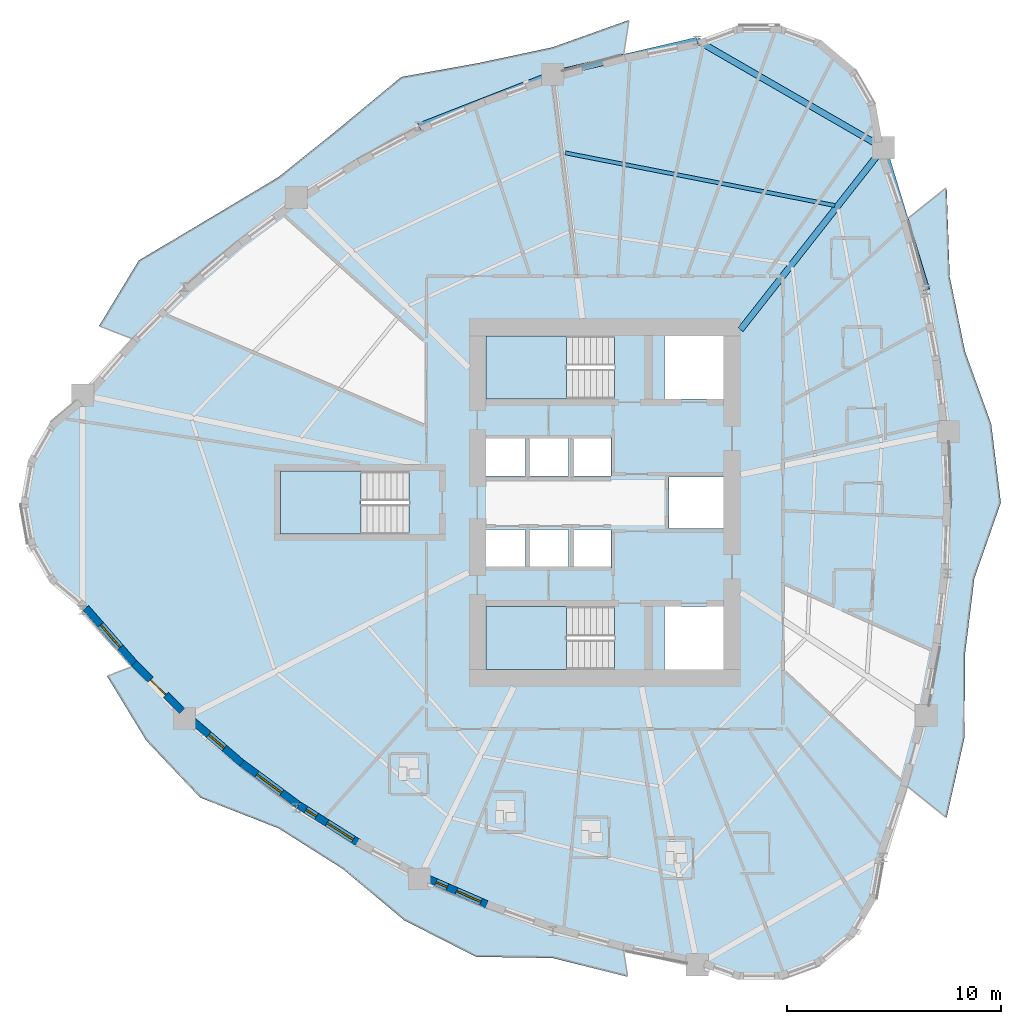
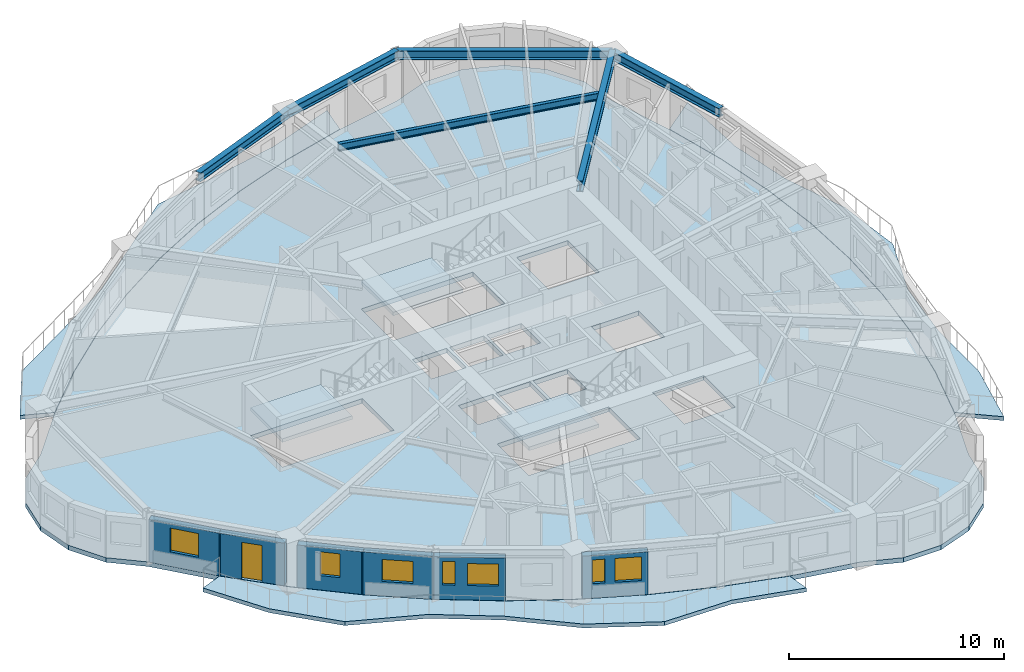
# One storey, part 2 of 14: 7 slabs, 7 windows, 6 beams, 6 walls, 1 door, 8 openings, 3 elements without a shape of their own.
"""IFC4 building model written with IfcOpenShell, lengths in metres."""

from ifc_helpers import new_model, si_unit, direction, frame, frame_2d, origin, origin_2d, place, context, subcontext, project, spatial, polyline, rectangle, i_section, outline, extrude, source, transform, mapped, material, layer, layer_set, material_profile, profile_set, type_object, element, fill, aggregate, save


model = new_model("IFC4")

# Units and contexts
model_context = context("Model", 3, precision=1e-05, world=origin(), true_north=direction((0.0, 1.0)))
body_context = subcontext(model_context, "Body", "Model", "MODEL_VIEW")
ifc_project = project(units=[si_unit("LENGTHUNIT", "METRE"), si_unit("AREAUNIT", "SQUARE_METRE"), si_unit("VOLUMEUNIT", "CUBIC_METRE"), si_unit("PLANEANGLEUNIT", "RADIAN"), si_unit("MASSUNIT", "GRAM", prefix="KILO")], contexts=[model_context])

# Site, building, storey
site_placement = place(None, origin())
site = spatial("IfcSite", under=ifc_project, at=site_placement, CompositionType="ELEMENT")
building_placement = place(site_placement, origin())
building = spatial("IfcBuilding", under=site, at=building_placement, Name="Qafzar Sky-Pleat Residences", CompositionType="ELEMENT")
storey_placement = place(building_placement, frame((0.0, 0.0, 17.39990234375)))
storey = spatial("IfcBuildingStorey", under=building, at=storey_placement, Name="L04", CompositionType="ELEMENT", Elevation=17.39990234375)

# Beams
ifc_material_1 = material(Name="Steel S355", Category="steel")
ifc_material_profile_1 = material_profile(ifc_material_1, i_section(OverallWidth=0.300048828125, OverallDepth=0.5, WebThickness=0.014404296875, FlangeThickness=0.028076171875, FilletRadius=0.027099609375, at=origin_2d()), Name="HEB 500")
ifc_profile_set_1 = profile_set([ifc_material_profile_1], Name="Steel S355")
beam_type_1 = type_object("IfcBeamType", Name="BM-SPAN-HEB500", PredefinedType="SPANDREL", material=ifc_profile_set_1)
shared_shape_1 = source(origin(), body_context, "Body", "SweptSolid", [
    extrude(i_section(OverallWidth=0.300048828125, OverallDepth=0.5, WebThickness=0.014404296875, FlangeThickness=0.028076171875, FilletRadius=0.027099609375, at=origin_2d()), origin(), (0.0, 0.0, 1.0), 10.0458984375),
])
beam_1_placement = place(storey_placement, frame((43.37255859375, 42.580078125, 2.68798828125), z_axis=(-0.866024107753, 0.500002244785, 0.0), x_axis=(-0.500002244785, -0.866024107753, 0.0)))
element("IfcBeam", 1, at=beam_1_placement, inside=storey, type_object=beam_type_1, Name="L04 Perimeter Spandrel Beam 13", PredefinedType="SPANDREL", context=body_context, shape_type="MappedRepresentation", body=[
    mapped(shared_shape_1, transform((0.0, 0.0, 0.0), x_axis=(1.0, 0.0, 0.0), y_axis=(0.0, 1.0, 0.0), z_axis=(0.0, 0.0, 1.0), scale=1.0)),
])
shared_shape_2 = source(origin(), body_context, "Body", "SweptSolid", [
    extrude(i_section(OverallWidth=0.300048828125, OverallDepth=0.5, WebThickness=0.014404296875, FlangeThickness=0.028076171875, FilletRadius=0.027099609375, at=origin_2d()), origin(), (0.0, 0.0, 1.0), 6.931640625),
])
beam_2_placement = place(storey_placement, frame((45.388671875, 35.947998046875, 2.68798828125), z_axis=(-0.290851866261, 0.956768097238, 0.0), x_axis=(-0.956768097238, -0.290851866261, 0.0)))
element("IfcBeam", 2, at=beam_2_placement, inside=storey, type_object=beam_type_1, Name="L04 Perimeter Spandrel Beam 12", PredefinedType="SPANDREL", context=body_context, shape_type="MappedRepresentation", body=[
    mapped(shared_shape_2, transform((0.0, 0.0, 0.0), x_axis=(1.0, 0.0, 0.0), y_axis=(0.0, 1.0, 0.0), z_axis=(0.0, 0.0, 1.0), scale=1.0)),
])
shared_shape_3 = source(origin(), body_context, "Body", "SweptSolid", [
    extrude(i_section(OverallWidth=0.300048828125, OverallDepth=0.5, WebThickness=0.014404296875, FlangeThickness=0.028076171875, FilletRadius=0.027099609375, at=origin_2d()), origin(), (0.0, 0.0, 1.0), 6.708251953125),
])
beam_3_placement = place(storey_placement, frame((27.9208984375, 46.032958984375, 2.68798828125), z_axis=(-0.931335108282, -0.364163309631, 0.0), x_axis=(0.364163309631, -0.931335108282, 0.0)))
element("IfcBeam", 3, at=beam_3_placement, inside=storey, type_object=beam_type_1, Name="L04 Perimeter Spandrel Beam 15", PredefinedType="SPANDREL", context=body_context, shape_type="MappedRepresentation", body=[
    mapped(shared_shape_3, transform((0.0, 0.0, 0.0), x_axis=(1.0, 0.0, 0.0), y_axis=(0.0, 1.0, 0.0), z_axis=(0.0, 0.0, 1.0), scale=1.0)),
])
shared_shape_4 = source(origin(), body_context, "Body", "SweptSolid", [
    extrude(i_section(OverallWidth=0.300048828125, OverallDepth=0.5, WebThickness=0.014404296875, FlangeThickness=0.028076171875, FilletRadius=0.027099609375, at=origin_2d()), origin(), (0.0, 0.0, 1.0), 6.931884765625),
])
beam_4_placement = place(storey_placement, frame((34.672607421875, 47.60302734375, 2.68798828125), z_axis=(-0.974011098993, -0.226500284853, 0.0), x_axis=(0.226500284853, -0.974011098993, 0.0)))
element("IfcBeam", 4, at=beam_4_placement, inside=storey, type_object=beam_type_1, Name="L04 Perimeter Spandrel Beam 14", PredefinedType="SPANDREL", context=body_context, shape_type="MappedRepresentation", body=[
    mapped(shared_shape_4, transform((0.0, 0.0, 0.0), x_axis=(1.0, 0.0, 0.0), y_axis=(0.0, 1.0, 0.0), z_axis=(0.0, 0.0, 1.0), scale=1.0)),
])
ifc_material_profile_2 = material_profile(ifc_material_1, i_section(OverallWidth=0.300048828125, OverallDepth=0.60009765625, WebThickness=0.015380859375, FlangeThickness=0.030029296875, FilletRadius=0.027099609375, at=origin_2d()), Name="HEB 600")
ifc_profile_set_2 = profile_set([ifc_material_profile_2], Name="Steel S355")
beam_type_2 = type_object("IfcBeamType", Name="BM-GIRD-HEB600", PredefinedType="BEAM", material=ifc_profile_set_2)
shared_shape_5 = source(origin(), body_context, "Body", "SweptSolid", [
    extrude(i_section(OverallWidth=0.300048828125, OverallDepth=0.60009765625, WebThickness=0.015380859375, FlangeThickness=0.030029296875, FilletRadius=0.027099609375, at=origin_2d()), origin(), (0.0, 0.0, 1.0), 10.802490234375),
])
beam_5_placement = place(storey_placement, frame((43.37255859375, 42.580078125, 2.63818359375), z_axis=(-0.617688793102, -0.786422631208, 0.0), x_axis=(0.786422631208, -0.617688793102, 0.0)))
element("IfcBeam", 5, at=beam_5_placement, inside=storey, type_object=beam_type_2, Name="L04 Radial Floor Girder 13", PredefinedType="BEAM", context=body_context, shape_type="MappedRepresentation", body=[
    mapped(shared_shape_5, transform((0.0, 0.0, 0.0), x_axis=(1.0, 0.0, 0.0), y_axis=(0.0, 1.0, 0.0), z_axis=(0.0, 0.0, 1.0), scale=1.0)),
])
ifc_material_profile_3 = material_profile(ifc_material_1, i_section(OverallWidth=0.179931640625, OverallDepth=0.39990234375, WebThickness=0.008544921875, FlangeThickness=0.013427734375, FilletRadius=0.02099609375, at=origin_2d()), Name="IPE 400")
ifc_profile_set_3 = profile_set([ifc_material_profile_3], Name="Steel S355")
beam_type_3 = type_object("IfcBeamType", Name="BM-JST-IPE400", PredefinedType="JOIST", material=ifc_profile_set_3)
shared_shape_6 = source(origin(), body_context, "Body", "SweptSolid", [
    extrude(i_section(OverallWidth=0.179931640625, OverallDepth=0.39990234375, WebThickness=0.008544921875, FlangeThickness=0.013427734375, FilletRadius=0.02099609375, at=origin_2d()), origin(), (0.0, 0.0, 1.0), 12.845703125),
])
beam_6_placement = place(storey_placement, frame((41.104736328125, 39.887451171875, 2.738037109375), z_axis=(-0.98147377173, 0.191596543305, 0.0), x_axis=(-0.191596543305, -0.98147377173, 0.0)))
element("IfcBeam", 6, at=beam_6_placement, inside=storey, type_object=beam_type_3, Name="L04 Outer Secondary Floor Joist 7", PredefinedType="JOIST", context=body_context, shape_type="MappedRepresentation", body=[
    mapped(shared_shape_6, transform((0.0, 0.0, 0.0), x_axis=(1.0, 0.0, 0.0), y_axis=(0.0, 1.0, 0.0), z_axis=(0.0, 0.0, 1.0), scale=1.0)),
])

# Slabs
ifc_material_2 = material(Name="Concrete C40/50", Category="concrete")
ifc_layer_1 = layer(ifc_material_2, 0.219970703125)
ifc_layer_set_1 = layer_set([ifc_layer_1], Name="Concrete C40/50")
slab_type_1 = type_object("IfcSlabType", Name="SLAB-BAL-220", PredefinedType="USERDEFINED", material=ifc_layer_set_1)
slab_1_placement = place(storey_placement, frame((0.0, 0.0, -0.219970703125)))
element("IfcSlab", 7, at=slab_1_placement, inside=storey, type_object=slab_type_1, Name="L04 Pleated Stone Balcony 1", ObjectType="BALCONY", PredefinedType="USERDEFINED", context=body_context, shape_type="SweptSolid", body=[
    extrude(outline(polyline([(45.39892578125, 16.0458984375), (46.030029296875, 19.364013671875), (46.408447265625, 22.681884765625), (46.53466796875, 26.0), (46.408447265625, 29.318115234375), (46.030029296875, 32.635986328125), (45.39892578125, 35.9541015625), (44.51611328125, 39.271484375), (46.3330078125, 40.7314453125), (46.4736328125, 36.568603515625), (47.19189453125, 33.063720703125), (48.414306640625, 29.6796875), (48.865478515625, 26.0), (47.626953125, 22.46240234375), (47.19189453125, 18.936279296875), (47.16796875, 15.033935546875), (46.3330078125, 11.2685546875), (44.51611328125, 12.728515625), (45.39892578125, 16.0458984375)])), origin(), (0.0, 0.0, 1.0), 0.219970703125),
])
slab_2_placement = place(storey_placement, frame((0.0, 0.0, -0.219970703125)))
element("IfcSlab", 8, at=slab_2_placement, inside=storey, type_object=slab_type_1, Name="L04 Pleated Stone Balcony 2", ObjectType="BALCONY", PredefinedType="USERDEFINED", context=body_context, shape_type="SweptSolid", body=[
    extrude(outline(polyline([(27.9208984375, 46.044921875), (24.732177734375, 44.932373046875), (21.669189453125, 43.601318359375), (18.732666015625, 42.051513671875), (15.922119140625, 40.283203125), (13.238037109375, 38.29638671875), (10.679931640625, 36.091064453125), (8.24853515625, 33.66748046875), (6.721435546875, 34.26025390625), (8.573486328125, 37.318359375), (11.9794921875, 39.344482421875), (15.122802734375, 41.228515625), (17.91357421875, 43.469970703125), (20.84423828125, 45.8955078125), (24.45361328125, 46.546630859375), (27.916015625, 47.282958984375), (31.485595703125, 48.5576171875), (31.235595703125, 46.93896484375), (27.9208984375, 46.044921875)])), origin(), (0.0, 0.0, 1.0), 0.219970703125),
])
slab_3_placement = place(storey_placement, frame((0.0, 0.0, -0.219970703125)))
element("IfcSlab", 9, at=slab_3_placement, inside=storey, type_object=slab_type_1, Name="L04 Pleated Stone Balcony 3", ObjectType="BALCONY", PredefinedType="USERDEFINED", context=body_context, shape_type="SweptSolid", body=[
    extrude(outline(polyline([(10.679931640625, 15.908935546875), (13.238037109375, 13.70361328125), (15.922119140625, 11.716796875), (18.732666015625, 9.948486328125), (21.669189453125, 8.398681640625), (24.732177734375, 7.067626953125), (27.9208984375, 5.955078125), (31.235595703125, 5.06103515625), (31.424560546875, 3.837646484375), (27.916015625, 4.717041015625), (24.335693359375, 4.770751953125), (20.9794921875, 6.48095703125), (18.113525390625, 8.87646484375), (15.122802734375, 10.771484375), (11.447021484375, 12.2119140625), (8.919189453125, 14.883056640625), (7.094482421875, 17.884521484375), (8.24853515625, 18.33251953125), (10.679931640625, 15.908935546875)])), origin(), (0.0, 0.0, 1.0), 0.219970703125),
])
ifc_layer_2 = layer(ifc_material_2, 0.260009765625)
ifc_layer_set_2 = layer_set([ifc_layer_2], Name="Concrete C40/50")
slab_type_2 = type_object("IfcSlabType", Name="SLAB-FLR-260", PredefinedType="FLOOR", material=ifc_layer_set_2)
slab_4_placement = place(storey_placement, frame((0.0, 0.0, -0.260009765625)))
element("IfcSlab", 10, at=slab_4_placement, inside=storey, type_object=slab_type_2, Name="L04 Structural Floor Slab", PredefinedType="FLOOR", context=body_context, shape_type="SweptSolid", body=[
    extrude(outline(polyline([(5.955078125, 31.02294921875), (4.411865234375, 29.728271484375), (3.40478515625, 27.983642578125), (3.054931640625, 26.0), (3.40478515625, 24.016357421875), (4.411865234375, 22.271728515625), (5.955078125, 20.97705078125), (8.259765625, 18.3369140625), (10.6904296875, 15.9150390625), (13.247314453125, 13.71142578125), (15.929931640625, 11.72607421875), (18.738525390625, 9.958984375), (21.67333984375, 8.409912109375), (24.734130859375, 7.079345703125), (27.9208984375, 5.967041015625), (31.233642578125, 5.072998046875), (34.672607421875, 4.39697265625), (36.565185546875, 3.7080078125), (38.57958984375, 3.7080078125), (40.472412109375, 4.39697265625), (42.015625, 5.69189453125), (43.022705078125, 7.436279296875), (43.37255859375, 9.419921875), (44.506591796875, 12.736083984375), (45.388671875, 16.052001953125), (46.018798828125, 19.367919921875), (46.396728515625, 22.68408203125), (46.522705078125, 26.0), (46.396728515625, 29.31591796875), (46.018798828125, 32.632080078125), (45.388671875, 35.947998046875), (44.506591796875, 39.263916015625), (43.37255859375, 42.580078125), (43.022705078125, 44.563720703125), (42.015625, 46.30810546875), (40.472412109375, 47.60302734375), (38.57958984375, 48.2919921875), (36.565185546875, 48.2919921875), (34.672607421875, 47.60302734375), (31.233642578125, 46.927001953125), (27.9208984375, 46.032958984375), (24.734130859375, 44.920654296875), (21.67333984375, 43.590087890625), (18.738525390625, 42.041015625), (15.929931640625, 40.27392578125), (13.247314453125, 38.28857421875), (10.6904296875, 36.0849609375), (8.259765625, 33.6630859375), (5.955078125, 31.02294921875)]), holes=[polyline([(30.797119140625, 21.14990234375), (24.800048828125, 21.14990234375), (24.800048828125, 18.199951171875), (30.797119140625, 18.199951171875), (30.797119140625, 21.14990234375)]), polyline([(30.797119140625, 33.800048828125), (24.800048828125, 33.800048828125), (24.800048828125, 30.85009765625), (30.797119140625, 30.85009765625), (30.797119140625, 33.800048828125)]), polyline([(21.197021484375, 27.47509765625), (15.199951171875, 27.47509765625), (15.199951171875, 24.52490234375), (21.197021484375, 24.52490234375), (21.197021484375, 27.47509765625)]), polyline([(24.800048828125, 22.949951171875), (26.64990234375, 22.949951171875), (26.64990234375, 24.75), (24.800048828125, 24.75), (24.800048828125, 22.949951171875)]), polyline([(26.800048828125, 22.949951171875), (28.64990234375, 22.949951171875), (28.64990234375, 24.75), (26.800048828125, 24.75), (26.800048828125, 22.949951171875)]), polyline([(28.800048828125, 22.949951171875), (30.64990234375, 22.949951171875), (30.64990234375, 24.75), (28.800048828125, 24.75), (28.800048828125, 22.949951171875)]), polyline([(24.800048828125, 27.25), (26.64990234375, 27.25), (26.64990234375, 29.050048828125), (24.800048828125, 29.050048828125), (24.800048828125, 27.25)]), polyline([(26.800048828125, 27.25), (28.64990234375, 27.25), (28.64990234375, 29.050048828125), (26.800048828125, 29.050048828125), (26.800048828125, 27.25)]), polyline([(28.800048828125, 27.25), (30.64990234375, 27.25), (30.64990234375, 29.050048828125), (28.800048828125, 29.050048828125), (28.800048828125, 27.25)]), polyline([(33.14990234375, 18.199951171875), (35.89990234375, 18.199951171875), (35.89990234375, 21.14990234375), (33.14990234375, 21.14990234375), (33.14990234375, 18.199951171875)]), polyline([(33.14990234375, 30.85009765625), (35.89990234375, 30.85009765625), (35.89990234375, 33.800048828125), (33.14990234375, 33.800048828125), (33.14990234375, 30.85009765625)]), polyline([(33.35009765625, 24.800048828125), (35.89990234375, 24.800048828125), (35.89990234375, 27.199951171875), (33.35009765625, 27.199951171875), (33.35009765625, 24.800048828125)])]), origin(), (0.0, 0.0, 1.0), 0.260009765625),
])

# Stair, slab
stair_type = type_object("IfcStairType", Name="STAIR-H320", PredefinedType="HALF_TURN_STAIR", material=ifc_material_2)
stair_1_placement = place(storey_placement, origin())
stair_1 = element("IfcStair", 11, at=stair_1_placement, inside=storey, type_object=stair_type, Name="L04 Protected Exit Stair ST1", PredefinedType="HALF_TURN_STAIR")
ifc_layer_3 = layer(ifc_material_2, 0.199951171875)
ifc_layer_set_3 = layer_set([ifc_layer_3], Name="Concrete C40/50")
slab_type_3 = type_object("IfcSlabType", Name="SLAB-LANDING-200", PredefinedType="LANDING", material=ifc_layer_set_3)
slab_5_placement = place(storey_placement, frame((0.0, 0.0, 1.400146484375)))
slab_5 = element("IfcSlab", 12, at=slab_5_placement, type_object=slab_type_3, Name="ST1 landing 1", PredefinedType="LANDING", context=body_context, shape_type="SweptSolid", body=[
    extrude(outline(polyline([(28.56005859375, 21.14990234375), (24.800048828125, 21.14990234375), (24.800048828125, 18.199951171875), (28.56005859375, 18.199951171875), (28.56005859375, 21.14990234375)])), origin(), (0.0, 0.0, 1.0), 0.199951171875),
])
aggregate(stair_1, [slab_5])

stair_2_placement = place(storey_placement, origin())
stair_2 = element("IfcStair", 13, at=stair_2_placement, inside=storey, type_object=stair_type, Name="L04 Protected Exit Stair ST2", PredefinedType="HALF_TURN_STAIR")
slab_6_placement = place(storey_placement, frame((0.0, 0.0, 1.400146484375)))
slab_6 = element("IfcSlab", 14, at=slab_6_placement, type_object=slab_type_3, Name="ST2 landing 1", PredefinedType="LANDING", context=body_context, shape_type="SweptSolid", body=[
    extrude(outline(polyline([(28.56005859375, 33.800048828125), (24.800048828125, 33.800048828125), (24.800048828125, 30.85009765625), (28.56005859375, 30.85009765625), (28.56005859375, 33.800048828125)])), origin(), (0.0, 0.0, 1.0), 0.199951171875),
])
aggregate(stair_2, [slab_6])

stair_3_placement = place(storey_placement, origin())
stair_3 = element("IfcStair", 15, at=stair_3_placement, inside=storey, type_object=stair_type, Name="L04 Protected Exit Stair ST3", PredefinedType="HALF_TURN_STAIR")
slab_7_placement = place(storey_placement, frame((0.0, 0.0, 1.400146484375)))
slab_7 = element("IfcSlab", 16, at=slab_7_placement, type_object=slab_type_3, Name="ST3 landing 1", PredefinedType="LANDING", context=body_context, shape_type="SweptSolid", body=[
    extrude(outline(polyline([(18.9599609375, 27.47509765625), (15.199951171875, 27.47509765625), (15.199951171875, 24.52490234375), (18.9599609375, 24.52490234375), (18.9599609375, 27.47509765625)])), origin(), (0.0, 0.0, 1.0), 0.199951171875),
])
aggregate(stair_3, [slab_7])

# Wall, opening, window
ifc_material_3 = material(Name="Precast concrete C40/50 with honed Riyadh limestone", Category="concrete")
ifc_layer_4 = layer(ifc_material_3, 0.35009765625)
ifc_layer_set_4 = layer_set([ifc_layer_4], Name="Precast concrete C40/50 with honed Riyadh limestone")
wall_type = type_object("IfcWallType", Name="WALL-EXT-350", PredefinedType="SOLIDWALL", material=ifc_layer_set_4)
wall_1_placement = place(storey_placement, frame((6.10009765625, 21.0771484375, 0.0), z_axis=(0.0, 0.0, 1.0), x_axis=(0.657591470028, -0.753374713238, 0.0)))
wall_1 = element("IfcWall", 17, at=wall_1_placement, inside=storey, type_object=wall_type, Name="L04 Limestone Facade Wall 7", PredefinedType="SOLIDWALL", context=body_context, shape_type="SweptSolid", body=[
    extrude(rectangle(XDim=3.5224609375, YDim=0.35009765625, at=frame_2d((1.76123046875, 0.0))), origin(), (0.0, 0.0, 1.0), 2.420166015625),
])
opening_1_placement = place(wall_1_placement, frame((1.05126953125, 0.0, 0.820068359375)))
opening_1 = element("IfcOpeningElement", 18, at=opening_1_placement, cuts=wall_1, Name="Opening WN-10", PredefinedType="OPENING", context=body_context, shape_type="SweptSolid", body=[
    extrude(rectangle(XDim=1.39990234375, YDim=1.35009765625, at=frame_2d((0.699951171875, 0.675048828125))), frame((0.0, 0.18505859375, 0.0), z_axis=(0.0, -1.0, 0.0), x_axis=(1.0, 0.0, 0.0)), (0.0, 0.0, 1.0), 0.3701171875),
])
ifc_material_4 = material(Name="Solar-control low-E glass in bronze aluminium frame", Category="glass")
window_type_1 = type_object("IfcWindowType", Name="WIN-10", PartitioningType="SINGLE_PANEL", PredefinedType="WINDOW", material=ifc_material_4)
shared_shape_7 = source(origin(), body_context, "Body", "SweptSolid", [
    extrude(rectangle(XDim=1.39990234375, YDim=1.35009765625, at=frame_2d((0.699951171875, 0.675048828125))), frame((0.0, 0.030029296875, 0.0), z_axis=(0.0, -1.0, 0.0), x_axis=(1.0, 0.0, 0.0)), (0.0, 0.0, 1.0), 0.06005859375),
])
window_1_placement = place(opening_1_placement, origin())
window_1 = element("IfcWindow", 19, at=window_1_placement, inside=storey, type_object=window_type_1, Name="L04 Punched Facade Window 07", OverallHeight=1.35009765625, OverallWidth=1.39990234375, PartitioningType="SINGLE_PANEL", PredefinedType="WINDOW", context=body_context, shape_type="MappedRepresentation", body=[
    mapped(shared_shape_7, transform((0.0, 0.0, 0.0), x_axis=(1.0, 0.0, 0.0), y_axis=(0.0, 1.0, 0.0), z_axis=(0.0, 0.0, 1.0), scale=1.0)),
])
fill(opening_1, window_1)

# Wall, opening, door
wall_2_placement = place(storey_placement, frame((8.356201171875, 18.48779296875, 0.0), z_axis=(0.0, 0.0, 1.0), x_axis=(0.708376649612, -0.705834628142, 0.0)))
wall_2 = element("IfcWall", 20, at=wall_2_placement, inside=storey, type_object=wall_type, Name="L04 Limestone Facade Wall 8", PredefinedType="SOLIDWALL", context=body_context, shape_type="SweptSolid", body=[
    extrude(rectangle(XDim=3.16943359375, YDim=0.35009765625, at=frame_2d((1.584716796875, 0.0))), origin(), (0.0, 0.0, 1.0), 2.420166015625),
])
opening_2_placement = place(wall_2_placement, frame((1.084716796875, 0.0, 0.0)))
opening_2 = element("IfcOpeningElement", 21, at=opening_2_placement, cuts=wall_2, Name="Opening ED-05", PredefinedType="OPENING", context=body_context, shape_type="SweptSolid", body=[
    extrude(rectangle(XDim=1.0, YDim=2.10009765625, at=frame_2d((0.5, 1.050048828125))), frame((0.0, 0.18505859375, 0.0), z_axis=(0.0, -1.0, 0.0), x_axis=(1.0, 0.0, 0.0)), (0.0, 0.0, 1.0), 0.3701171875),
])
ifc_material_5 = material(Name="Glazed bronze aluminium door", Category="aluminium")
door_type = type_object("IfcDoorType", Name="DR-BAL-1000", OperationType="NOTDEFINED", PredefinedType="DOOR", material=ifc_material_5)
shared_shape_8 = source(origin(), body_context, "Body", "SweptSolid", [
    extrude(rectangle(XDim=1.0, YDim=2.10009765625, at=frame_2d((0.5, 1.050048828125))), frame((0.0, 0.02490234375, 0.0), z_axis=(0.0, -1.0, 0.0), x_axis=(1.0, 0.0, 0.0)), (0.0, 0.0, 1.0), 0.050048828125),
])
door_placement = place(opening_2_placement, origin())
door = element("IfcDoor", 22, at=door_placement, inside=storey, type_object=door_type, Name="L04 Glazed Balcony Door 3", OperationType="SINGLE_SWING_LEFT", OverallHeight=2.10009765625, OverallWidth=1.0, PredefinedType="DOOR", context=body_context, shape_type="MappedRepresentation", body=[
    mapped(shared_shape_8, transform((0.0, 0.0, 0.0), x_axis=(1.0, 0.0, 0.0), y_axis=(0.0, 1.0, 0.0), z_axis=(0.0, 0.0, 1.0), scale=1.0)),
])
fill(opening_2, door)

# Wall, opening, window
wall_3_placement = place(storey_placement, frame((11.031982421875, 15.851806640625, 0.0), z_axis=(0.0, 0.0, 1.0), x_axis=(0.757438043692, -0.652907045427, 0.0)))
wall_3 = element("IfcWall", 23, at=wall_3_placement, inside=storey, type_object=wall_type, Name="L04 Limestone Facade Wall 9", PredefinedType="SOLIDWALL", context=body_context, shape_type="SweptSolid", body=[
    extrude(rectangle(XDim=3.11328125, YDim=0.35009765625, at=frame_2d((1.556640625, 0.0))), origin(), (0.0, 0.0, 1.0), 2.420166015625),
])
opening_3_placement = place(wall_3_placement, frame((1.07666015625, 0.0, 0.820068359375)))
opening_3 = element("IfcOpeningElement", 24, at=opening_3_placement, cuts=wall_3, Name="Opening WN-12", PredefinedType="OPENING", context=body_context, shape_type="SweptSolid", body=[
    extrude(rectangle(XDim=0.949951171875, YDim=1.35009765625, at=frame_2d((0.47509765625, 0.675048828125))), frame((0.0, 0.18505859375, 0.0), z_axis=(0.0, -1.0, 0.0), x_axis=(1.0, 0.0, 0.0)), (0.0, 0.0, 1.0), 0.3701171875),
])
window_type_2 = type_object("IfcWindowType", Name="WIN-12", PartitioningType="SINGLE_PANEL", PredefinedType="WINDOW", material=ifc_material_4)
shared_shape_9 = source(origin(), body_context, "Body", "SweptSolid", [
    extrude(rectangle(XDim=0.949951171875, YDim=1.35009765625, at=frame_2d((0.47509765625, 0.675048828125))), frame((0.0, 0.030029296875, 0.0), z_axis=(0.0, -1.0, 0.0), x_axis=(1.0, 0.0, 0.0)), (0.0, 0.0, 1.0), 0.06005859375),
])
window_2_placement = place(opening_3_placement, origin())
window_2 = element("IfcWindow", 25, at=window_2_placement, inside=storey, type_object=window_type_2, Name="L04 Punched Facade Window 09", OverallHeight=1.35009765625, OverallWidth=0.949951171875, PartitioningType="SINGLE_PANEL", PredefinedType="WINDOW", context=body_context, shape_type="MappedRepresentation", body=[
    mapped(shared_shape_9, transform((0.0, 0.0, 0.0), x_axis=(1.0, 0.0, 0.0), y_axis=(0.0, 1.0, 0.0), z_axis=(0.0, 0.0, 1.0), scale=1.0)),
])
fill(opening_3, window_2)

wall_4_placement = place(storey_placement, frame((13.32080078125, 13.874755859375, 0.0), z_axis=(0.0, 0.0, 1.0), x_axis=(0.803799451214, -0.594900363278, 0.0)))
wall_4 = element("IfcWall", 26, at=wall_4_placement, inside=storey, type_object=wall_type, Name="L04 Limestone Facade Wall 10", PredefinedType="SOLIDWALL", context=body_context, shape_type="SweptSolid", body=[
    extrude(rectangle(XDim=3.355224609375, YDim=0.35009765625, at=frame_2d((1.677734375, 0.0))), origin(), (0.0, 0.0, 1.0), 2.420166015625),
])
opening_4_placement = place(wall_4_placement, frame((0.962646484375, 0.0, 0.820068359375)))
opening_4 = element("IfcOpeningElement", 27, at=opening_4_placement, cuts=wall_4, Name="Opening WN-15", PredefinedType="OPENING", context=body_context, shape_type="SweptSolid", body=[
    extrude(rectangle(XDim=1.449951171875, YDim=1.25, at=frame_2d((0.72509765625, 0.625))), frame((0.0, 0.18505859375, 0.0), z_axis=(0.0, -1.0, 0.0), x_axis=(1.0, 0.0, 0.0)), (0.0, 0.0, 1.0), 0.3701171875),
])
window_type_3 = type_object("IfcWindowType", Name="WIN-15", PartitioningType="SINGLE_PANEL", PredefinedType="WINDOW", material=ifc_material_4)
shared_shape_10 = source(origin(), body_context, "Body", "SweptSolid", [
    extrude(rectangle(XDim=1.449951171875, YDim=1.25, at=frame_2d((0.72509765625, 0.625))), frame((0.0, 0.030029296875, 0.0), z_axis=(0.0, -1.0, 0.0), x_axis=(1.0, 0.0, 0.0)), (0.0, 0.0, 1.0), 0.06005859375),
])
window_3_placement = place(opening_4_placement, origin())
window_3 = element("IfcWindow", 28, at=window_3_placement, inside=storey, type_object=window_type_3, Name="L04 Punched Facade Window 10", OverallHeight=1.25, OverallWidth=1.449951171875, PartitioningType="SINGLE_PANEL", PredefinedType="WINDOW", context=body_context, shape_type="MappedRepresentation", body=[
    mapped(shared_shape_10, transform((0.0, 0.0, 0.0), x_axis=(1.0, 0.0, 0.0), y_axis=(0.0, 1.0, 0.0), z_axis=(0.0, 0.0, 1.0), scale=1.0)),
])
fill(opening_4, window_3)

# Wall, openings, windows
wall_5_placement = place(storey_placement, frame((16.0400390625, 11.863525390625, 0.0), z_axis=(0.0, 0.0, 1.0), x_axis=(0.846428302834, -0.532502702492, 0.0)))
wall_5 = element("IfcWall", 29, at=wall_5_placement, inside=storey, type_object=wall_type, Name="L04 Limestone Facade Wall 11", PredefinedType="SOLIDWALL", context=body_context, shape_type="SweptSolid", body=[
    extrude(rectangle(XDim=3.33642578125, YDim=0.35009765625, at=frame_2d((1.668212890625, 0.0))), origin(), (0.0, 0.0, 1.0), 2.420166015625),
])
opening_5_placement = place(wall_5_placement, frame((0.409423828125, 0.0, 0.820068359375)))
opening_5 = element("IfcOpeningElement", 30, at=opening_5_placement, cuts=wall_5, Name="Opening WN-17", PredefinedType="OPENING", context=body_context, shape_type="SweptSolid", body=[
    extrude(rectangle(XDim=0.580078125, YDim=1.35009765625, at=frame_2d((0.2900390625, 0.675048828125))), frame((0.0, 0.18505859375, 0.0), z_axis=(0.0, -1.0, 0.0), x_axis=(1.0, 0.0, 0.0)), (0.0, 0.0, 1.0), 0.3701171875),
])
opening_6_placement = place(wall_5_placement, frame((1.572509765625, 0.0, 0.820068359375)))
opening_6 = element("IfcOpeningElement", 31, at=opening_6_placement, cuts=wall_5, Name="Opening WN-15", PredefinedType="OPENING", context=body_context, shape_type="SweptSolid", body=[
    extrude(rectangle(XDim=1.449951171875, YDim=1.25, at=frame_2d((0.72509765625, 0.625))), frame((0.0, 0.18505859375, 0.0), z_axis=(0.0, -1.0, 0.0), x_axis=(1.0, 0.0, 0.0)), (0.0, 0.0, 1.0), 0.3701171875),
])
window_4_placement = place(opening_6_placement, origin())
window_4 = element("IfcWindow", 32, at=window_4_placement, inside=storey, type_object=window_type_3, Name="L04 Punched Facade Window 11-2", OverallHeight=1.25, OverallWidth=1.449951171875, PartitioningType="SINGLE_PANEL", PredefinedType="WINDOW", context=body_context, shape_type="MappedRepresentation", body=[
    mapped(shared_shape_10, transform((0.0, 0.0, 0.0), x_axis=(1.0, 0.0, 0.0), y_axis=(0.0, 1.0, 0.0), z_axis=(0.0, 0.0, 1.0), scale=1.0)),
])
fill(opening_6, window_4)
window_type_4 = type_object("IfcWindowType", Name="WIN-17", PartitioningType="SINGLE_PANEL", PredefinedType="WINDOW", material=ifc_material_4)
shared_shape_11 = source(origin(), body_context, "Body", "SweptSolid", [
    extrude(rectangle(XDim=0.580078125, YDim=1.35009765625, at=frame_2d((0.2900390625, 0.675048828125))), frame((0.0, 0.030029296875, 0.0), z_axis=(0.0, -1.0, 0.0), x_axis=(1.0, 0.0, 0.0)), (0.0, 0.0, 1.0), 0.06005859375),
])
window_5_placement = place(opening_5_placement, origin())
window_5 = element("IfcWindow", 33, at=window_5_placement, inside=storey, type_object=window_type_4, Name="L04 Punched Facade Window 11", OverallHeight=1.35009765625, OverallWidth=0.580078125, PartitioningType="SINGLE_PANEL", PredefinedType="WINDOW", context=body_context, shape_type="MappedRepresentation", body=[
    mapped(shared_shape_11, transform((0.0, 0.0, 0.0), x_axis=(1.0, 0.0, 0.0), y_axis=(0.0, 1.0, 0.0), z_axis=(0.0, 0.0, 1.0), scale=1.0)),
])
fill(opening_5, window_5)

wall_6_placement = place(storey_placement, frame((22.018310546875, 8.450927734375, 0.0), z_axis=(0.0, 0.0, 1.0), x_axis=(0.917071318244, -0.398723208824, 0.0)))
wall_6 = element("IfcWall", 34, at=wall_6_placement, inside=storey, type_object=wall_type, Name="L04 Limestone Facade Wall 13", PredefinedType="SOLIDWALL", context=body_context, shape_type="SweptSolid", body=[
    extrude(rectangle(XDim=3.07568359375, YDim=0.35009765625, at=frame_2d((1.537841796875, 0.0))), origin(), (0.0, 0.0, 1.0), 2.420166015625),
])
opening_7_placement = place(wall_6_placement, frame((0.481201171875, 0.0, 0.820068359375)))
opening_7 = element("IfcOpeningElement", 35, at=opening_7_placement, cuts=wall_6, Name="Opening WN-17", PredefinedType="OPENING", context=body_context, shape_type="SweptSolid", body=[
    extrude(rectangle(XDim=0.580078125, YDim=1.35009765625, at=frame_2d((0.2900390625, 0.675048828125))), frame((0.0, 0.18505859375, 0.0), z_axis=(0.0, -1.0, 0.0), x_axis=(1.0, 0.0, 0.0)), (0.0, 0.0, 1.0), 0.3701171875),
])
opening_8_placement = place(wall_6_placement, frame((1.529296875, 0.0, 0.820068359375)))
opening_8 = element("IfcOpeningElement", 36, at=opening_8_placement, cuts=wall_6, Name="Opening WN-11", PredefinedType="OPENING", context=body_context, shape_type="SweptSolid", body=[
    extrude(rectangle(XDim=1.25, YDim=1.35009765625, at=frame_2d((0.625, 0.675048828125))), frame((0.0, 0.18505859375, 0.0), z_axis=(0.0, -1.0, 0.0), x_axis=(1.0, 0.0, 0.0)), (0.0, 0.0, 1.0), 0.3701171875),
])
window_6_placement = place(opening_7_placement, origin())
window_6 = element("IfcWindow", 37, at=window_6_placement, inside=storey, type_object=window_type_4, Name="L04 Punched Facade Window 13", OverallHeight=1.35009765625, OverallWidth=0.580078125, PartitioningType="SINGLE_PANEL", PredefinedType="WINDOW", context=body_context, shape_type="MappedRepresentation", body=[
    mapped(shared_shape_11, transform((0.0, 0.0, 0.0), x_axis=(1.0, 0.0, 0.0), y_axis=(0.0, 1.0, 0.0), z_axis=(0.0, 0.0, 1.0), scale=1.0)),
])
fill(opening_7, window_6)
window_type_5 = type_object("IfcWindowType", Name="WIN-11", PartitioningType="SINGLE_PANEL", PredefinedType="WINDOW", material=ifc_material_4)
shared_shape_12 = source(origin(), body_context, "Body", "SweptSolid", [
    extrude(rectangle(XDim=1.25, YDim=1.35009765625, at=frame_2d((0.625, 0.675048828125))), frame((0.0, 0.030029296875, 0.0), z_axis=(0.0, -1.0, 0.0), x_axis=(1.0, 0.0, 0.0)), (0.0, 0.0, 1.0), 0.06005859375),
])
window_7_placement = place(opening_8_placement, origin())
window_7 = element("IfcWindow", 38, at=window_7_placement, inside=storey, type_object=window_type_5, Name="L04 Punched Facade Window 13-2", OverallHeight=1.35009765625, OverallWidth=1.25, PartitioningType="SINGLE_PANEL", PredefinedType="WINDOW", context=body_context, shape_type="MappedRepresentation", body=[
    mapped(shared_shape_12, transform((0.0, 0.0, 0.0), x_axis=(1.0, 0.0, 0.0), y_axis=(0.0, 1.0, 0.0), z_axis=(0.0, 0.0, 1.0), scale=1.0)),
])
fill(opening_8, window_7)

save(model, "model.ifc")
